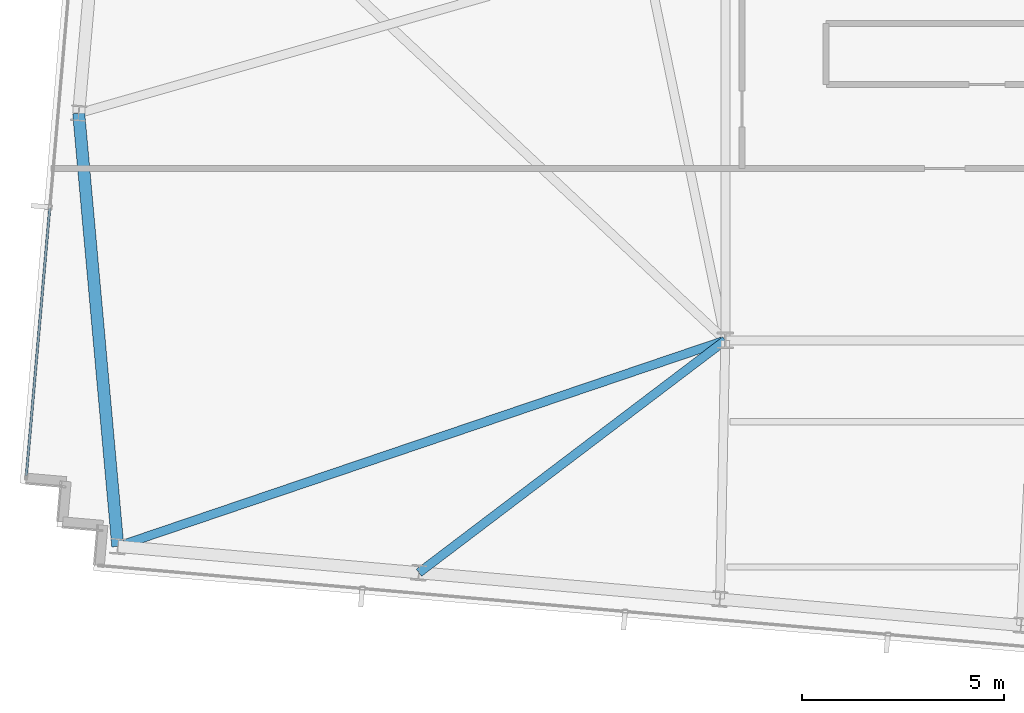
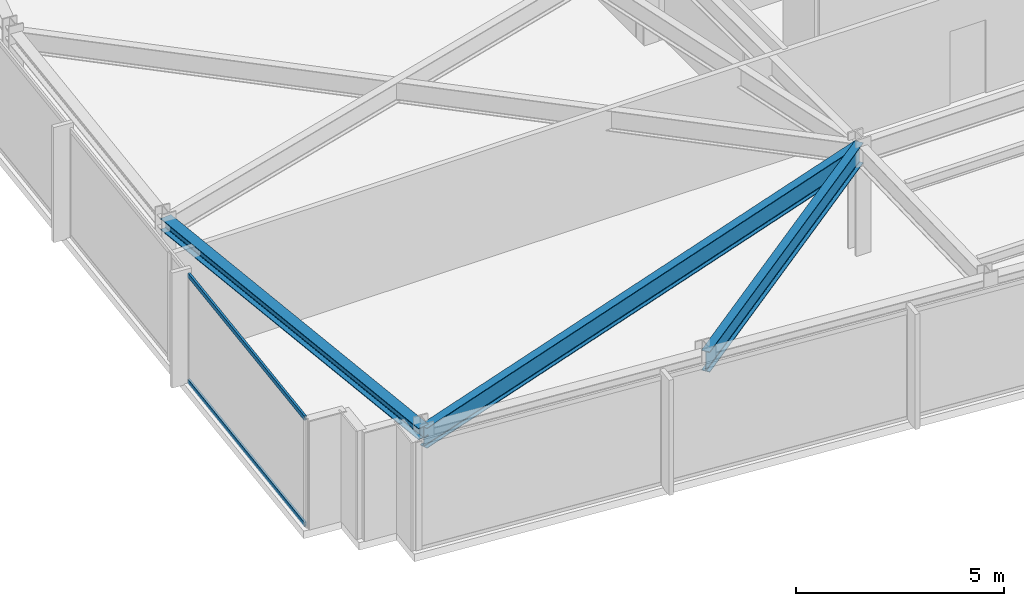
# One storey, part 4 of 32: 3 beams, 2 members, 1 element without a shape of its own.
"""IFC4 building model written with IfcOpenShell, lengths in metres."""

from ifc_helpers import new_model, si_unit, direction, frame, origin, origin_2d, place, context, subcontext, project, spatial, hollow_rectangle, i_section, extrude, material, material_profile, profile_set, type_object, element, aggregate, save


model = new_model("IFC4")

# Units and contexts
model_context = context("Model", 3, precision=1e-05, world=origin(), true_north=direction((0.0, 1.0)))
body_context = subcontext(model_context, "Body", "Model", "MODEL_VIEW")
ifc_project = project(units=[si_unit("LENGTHUNIT", "METRE"), si_unit("AREAUNIT", "SQUARE_METRE"), si_unit("VOLUMEUNIT", "CUBIC_METRE"), si_unit("PLANEANGLEUNIT", "RADIAN"), si_unit("MASSUNIT", "GRAM", prefix="KILO")], contexts=[model_context])

# Site, building, storey
site_placement = place(None, origin())
site = spatial("IfcSite", under=ifc_project, at=site_placement, CompositionType="ELEMENT")
building_placement = place(site_placement, origin())
building = spatial("IfcBuilding", under=site, at=building_placement, Name="Yelkora Congress Tower", CompositionType="ELEMENT")
storey_placement = place(building_placement, frame((0.0, 0.0, 293.10009765625)))
storey = spatial("IfcBuildingStorey", under=building, at=storey_placement, Name="L82", CompositionType="ELEMENT", Elevation=293.10009765625)

# Beams
ifc_material_1 = material(Name="Steel S355J2", Category="steel")
ifc_material_profile_1 = material_profile(ifc_material_1, i_section(OverallWidth=0.219970703125, OverallDepth=0.60009765625, WebThickness=0.011962890625, FlangeThickness=0.01904296875, FilletRadius=0.02392578125, at=origin_2d()), Name="IPE 600")
ifc_profile_set_1 = profile_set([ifc_material_profile_1], Name="Steel S355J2")
beam_type_1 = type_object("IfcBeamType", Name="BM-GIRD-IPE600", PredefinedType="BEAM", material=ifc_profile_set_1)
beam_1_placement = place(storey_placement, frame((7.998046875, 20.097900390625, 2.8798828125), z_axis=(0.947007090502, 0.321212656257, 0.0), x_axis=(-0.321212656257, 0.947007090502, 0.0)))
element("IfcBeam", 1, at=beam_1_placement, inside=storey, type_object=beam_type_1, Name="L82 Primary Frame Girder S01", PredefinedType="BEAM", context=body_context, shape_type="SweptSolid", body=[
    extrude(i_section(OverallWidth=0.219970703125, OverallDepth=0.60009765625, WebThickness=0.011962890625, FlangeThickness=0.01904296875, FilletRadius=0.02392578125, at=origin_2d()), origin(), (0.0, 0.0, 1.0), 15.8837890625),
])
beam_2_placement = place(storey_placement, frame((15.452880859375, 19.445556640625, 2.8798828125), z_axis=(0.79676107913, 0.6042944504, 0.0), x_axis=(-0.6042944504, 0.79676107913, 0.0)))
element("IfcBeam", 2, at=beam_2_placement, inside=storey, type_object=beam_type_1, Name="L82 Primary Frame Girder S02", PredefinedType="BEAM", context=body_context, shape_type="SweptSolid", body=[
    extrude(i_section(OverallWidth=0.219970703125, OverallDepth=0.60009765625, WebThickness=0.011962890625, FlangeThickness=0.01904296875, FilletRadius=0.02392578125, at=origin_2d()), origin(), (0.0, 0.0, 1.0), 9.5224609375),
])
ifc_material_profile_2 = material_profile(ifc_material_1, i_section(OverallWidth=0.300048828125, OverallDepth=0.340087890625, WebThickness=0.011962890625, FlangeThickness=0.021484375, FilletRadius=0.027099609375, at=origin_2d()), Name="HEB 340")
ifc_profile_set_2 = profile_set([ifc_material_profile_2], Name="Steel S355J2")
beam_type_2 = type_object("IfcBeamType", Name="BM-SPAN-HEB340", PredefinedType="SPANDREL", material=ifc_profile_set_2)
beam_3_placement = place(storey_placement, frame((7.029052734375, 30.822998046875, 3.010009765625), z_axis=(0.08998177561, -0.995943412076, 0.0), x_axis=(0.995943412076, 0.08998177561, 0.0)))
element("IfcBeam", 3, at=beam_3_placement, inside=storey, type_object=beam_type_2, Name="L82 Perimeter Beam 15", PredefinedType="SPANDREL", context=body_context, shape_type="SweptSolid", body=[
    extrude(i_section(OverallWidth=0.300048828125, OverallDepth=0.340087890625, WebThickness=0.011962890625, FlangeThickness=0.021484375, FilletRadius=0.027099609375, at=origin_2d()), origin(), (0.0, 0.0, 1.0), 10.768798828125),
])

# Curtain wall, members
ifc_material_2 = material(Name="Anodised aluminium and insulated glass", Category="aluminium")
curtain_wall_type = type_object("IfcCurtainWallType", Name="CW-SYS-B5", PredefinedType="NOTDEFINED", material=ifc_material_2)
curtain_wall_placement = place(storey_placement, origin())
curtain_wall = element("IfcCurtainWall", 4, at=curtain_wall_placement, inside=storey, type_object=curtain_wall_type, Name="L82 Unitised Curtain Wall 5", PredefinedType="NOTDEFINED")
ifc_material_3 = material(Name="Anodised aluminium 6063-T6", Category="aluminium")
ifc_material_profile_3 = material_profile(ifc_material_3, hollow_rectangle(XDim=0.06005859375, YDim=0.1298828125, WallThickness=0.00390625, at=origin_2d()), Name="ALU 60x130x4")
ifc_profile_set_3 = profile_set([ifc_material_profile_3], Name="Anodised aluminium 6063-T6")
member_type = type_object("IfcMemberType", Name="MEM-TR-B5", PredefinedType="USERDEFINED", material=ifc_profile_set_3)
member_1_placement = place(storey_placement, frame((5.732666015625, 21.85693359375, 0.02978515625), z_axis=(0.08716649365, 0.996193757451, 0.0), x_axis=(-0.996193757451, 0.08716649365, 0.0)))
member_1 = element("IfcMember", 5, at=member_1_placement, type_object=member_type, Name="CW-B5 transom 1.1", ObjectType="TRANSOM", PredefinedType="USERDEFINED", context=body_context, shape_type="SweptSolid", body=[
    extrude(hollow_rectangle(XDim=0.06005859375, YDim=0.1298828125, WallThickness=0.00390625, at=origin_2d()), origin(), (0.0, 0.0, 1.0), 6.63232421875),
])
member_2_placement = place(storey_placement, frame((5.732666015625, 21.85693359375, 3.14990234375), z_axis=(0.08716649365, 0.996193757451, 0.0), x_axis=(-0.996193757451, 0.08716649365, 0.0)))
member_2 = element("IfcMember", 6, at=member_2_placement, type_object=member_type, Name="CW-B5 transom 1.2", ObjectType="TRANSOM", PredefinedType="USERDEFINED", context=body_context, shape_type="SweptSolid", body=[
    extrude(hollow_rectangle(XDim=0.06005859375, YDim=0.1298828125, WallThickness=0.00390625, at=origin_2d()), origin(), (0.0, 0.0, 1.0), 6.63232421875),
])
aggregate(curtain_wall, [member_1, member_2])

save(model, "model.ifc")
